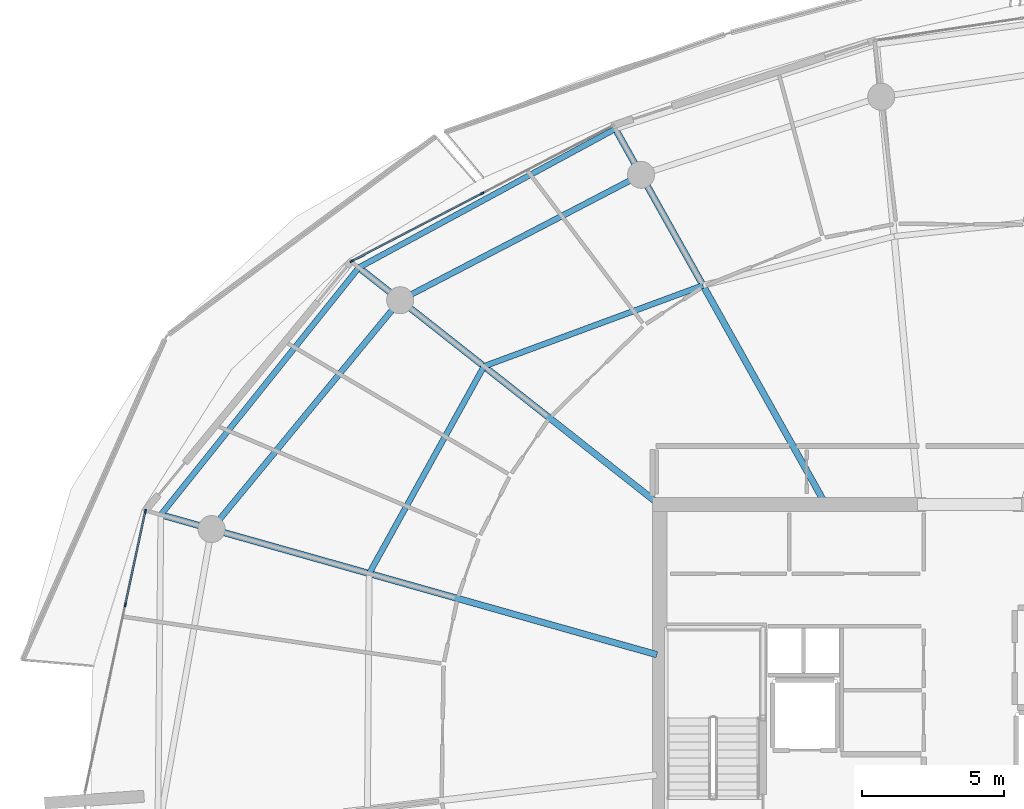
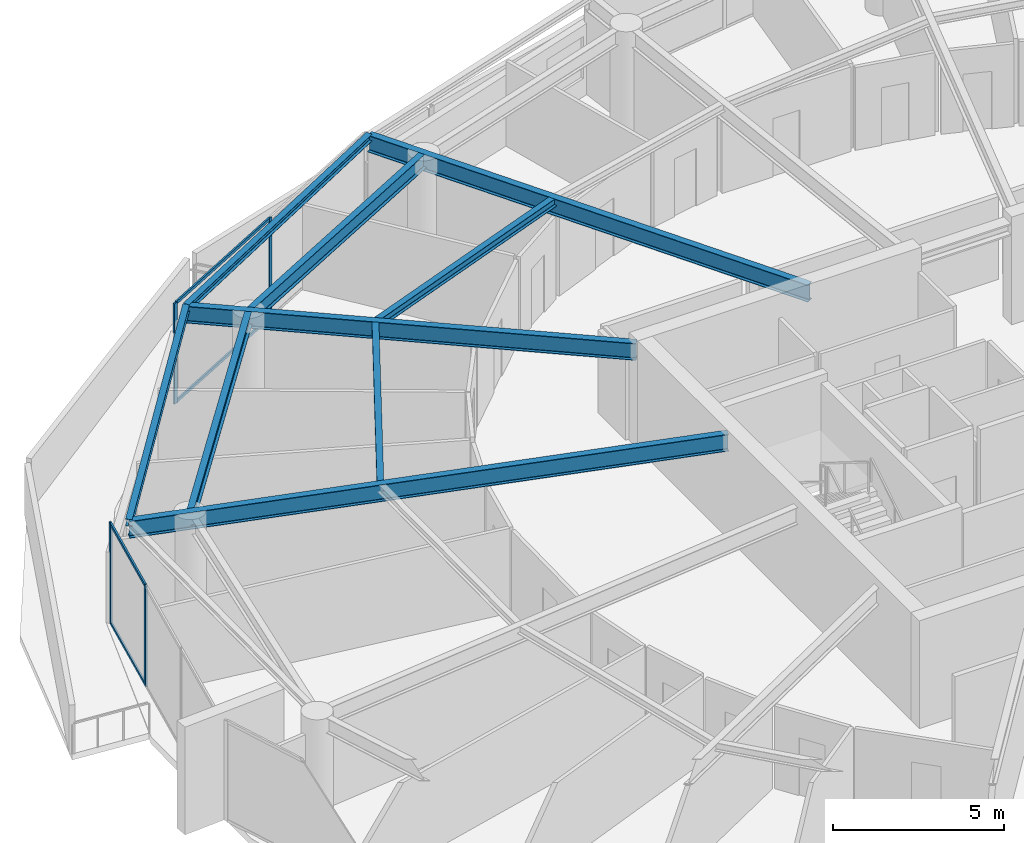
# One storey, part 12 of 30: 9 beams, 8 members, 2 elements without a shape of their own.
"""IFC4 building model written with IfcOpenShell, lengths in metres."""

from ifc_helpers import new_model, si_unit, direction, frame, origin, origin_2d, place, context, subcontext, project, spatial, rectangle, i_section, extrude, material, layer, layer_set, material_profile, profile_set, type_object, element, aggregate, save


model = new_model("IFC4")

# Units and contexts
model_context = context("Model", 3, precision=1e-05, world=origin(), true_north=direction((0.0, 1.0)))
body_context = subcontext(model_context, "Body", "Model", "MODEL_VIEW")
ifc_project = project(units=[si_unit("LENGTHUNIT", "METRE"), si_unit("AREAUNIT", "SQUARE_METRE"), si_unit("VOLUMEUNIT", "CUBIC_METRE"), si_unit("PLANEANGLEUNIT", "RADIAN"), si_unit("MASSUNIT", "GRAM", prefix="KILO")], contexts=[model_context])

# Site, building, storey
site_placement = place(None, origin())
site = spatial("IfcSite", under=ifc_project, at=site_placement, CompositionType="ELEMENT")
building_placement = place(site_placement, origin())
building = spatial("IfcBuilding", under=site, at=building_placement, Name="Kazma Halo Residences", CompositionType="ELEMENT")
storey_placement = place(building_placement, frame((0.0, 0.0, 294.449951171875)))
storey = spatial("IfcBuildingStorey", under=building, at=storey_placement, Name="L74", CompositionType="ELEMENT", Elevation=294.449951171875)

# Beams
ifc_material_1 = material(Name="Steel S355", Category="steel")
ifc_material_profile_1 = material_profile(ifc_material_1, i_section(OverallWidth=0.201904296875, OverallDepth=0.2470703125, WebThickness=0.00732421875, FlangeThickness=0.010986328125, FilletRadius=0.011962890625, at=origin_2d()), Name="W250x49.1")
ifc_profile_set_1 = profile_set([ifc_material_profile_1], Name="Steel S355")
beam_type_1 = type_object("IfcBeamType", Name="BM-BAL-CANT", PredefinedType="BEAM", material=ifc_profile_set_1)
beam_1_placement = place(storey_placement, frame((35.990478515625, 63.444580078125, 3.466552734375), z_axis=(-0.879517282036, -0.475866946321, 0.0), x_axis=(0.475866946321, -0.879517282036, 0.0)))
element("IfcBeam", 1, at=beam_1_placement, inside=storey, type_object=beam_type_1, Name="L74 wave-balcony tie beam 05", PredefinedType="BEAM", context=body_context, shape_type="SweptSolid", body=[
    extrude(i_section(OverallWidth=0.201904296875, OverallDepth=0.2470703125, WebThickness=0.00732421875, FlangeThickness=0.010986328125, FilletRadius=0.011962890625, at=origin_2d()), origin(), (0.0, 0.0, 1.0), 10.243408203125),
])
beam_2_placement = place(storey_placement, frame((26.981201171875, 58.570068359375, 3.466552734375), z_axis=(-0.625117912406, -0.780530329705, 0.0), x_axis=(0.780530329705, -0.625117912406, 0.0)))
element("IfcBeam", 2, at=beam_2_placement, inside=storey, type_object=beam_type_1, Name="L74 wave-balcony tie beam 06", PredefinedType="BEAM", context=body_context, shape_type="SweptSolid", body=[
    extrude(i_section(OverallWidth=0.201904296875, OverallDepth=0.2470703125, WebThickness=0.00732421875, FlangeThickness=0.010986328125, FilletRadius=0.011962890625, at=origin_2d()), origin(), (0.0, 0.0, 1.0), 11.1220703125),
])
ifc_material_profile_2 = material_profile(ifc_material_1, i_section(OverallWidth=0.22802734375, OverallDepth=0.60791015625, WebThickness=0.01123046875, FlangeThickness=0.017333984375, FilletRadius=0.01806640625, at=origin_2d()), Name="W610x113")
ifc_profile_set_2 = profile_set([ifc_material_profile_2], Name="Steel S355")
beam_type_2 = type_object("IfcBeamType", Name="BM-RAD-W610", PredefinedType="BEAM", material=ifc_profile_set_2)
beam_3_placement = place(storey_placement, frame((43.32373046875, 50.35009765625, 3.2861328125), z_axis=(-0.488620706085, 0.872496306918, 0.0), x_axis=(-0.872496306918, -0.488620706085, 0.0)))
element("IfcBeam", 3, at=beam_3_placement, inside=storey, type_object=beam_type_2, Name="L74 radial floor beam 05", PredefinedType="BEAM", context=body_context, shape_type="SweptSolid", body=[
    extrude(i_section(OverallWidth=0.22802734375, OverallDepth=0.60791015625, WebThickness=0.01123046875, FlangeThickness=0.017333984375, FilletRadius=0.01806640625, at=origin_2d()), origin(), (0.0, 0.0, 1.0), 15.008056640625),
])
beam_4_placement = place(storey_placement, frame((37.449951171875, 50.31689453125, 3.2861328125), z_axis=(-0.785306836423, 0.619106753854, 0.0), x_axis=(-0.619106753854, -0.785306836423, 0.0)))
element("IfcBeam", 4, at=beam_4_placement, inside=storey, type_object=beam_type_2, Name="L74 radial floor beam 06", PredefinedType="BEAM", context=body_context, shape_type="SweptSolid", body=[
    extrude(i_section(OverallWidth=0.22802734375, OverallDepth=0.60791015625, WebThickness=0.01123046875, FlangeThickness=0.017333984375, FilletRadius=0.01806640625, at=origin_2d()), origin(), (0.0, 0.0, 1.0), 13.330810546875),
])
beam_5_placement = place(storey_placement, frame((37.449951171875, 44.975341796875, 3.2861328125), z_axis=(-0.962451844494, 0.271452476559, 0.0), x_axis=(-0.271452476559, -0.962451844494, 0.0)))
element("IfcBeam", 5, at=beam_5_placement, inside=storey, type_object=beam_type_2, Name="L74 radial floor beam 07", PredefinedType="BEAM", context=body_context, shape_type="SweptSolid", body=[
    extrude(i_section(OverallWidth=0.22802734375, OverallDepth=0.60791015625, WebThickness=0.01123046875, FlangeThickness=0.017333984375, FilletRadius=0.01806640625, at=origin_2d()), origin(), (0.0, 0.0, 1.0), 18.10107421875),
])
ifc_material_profile_3 = material_profile(ifc_material_1, i_section(OverallWidth=0.202880859375, OverallDepth=0.302978515625, WebThickness=0.007568359375, FlangeThickness=0.01318359375, FilletRadius=0.013916015625, at=origin_2d()), Name="W310x60")
ifc_profile_set_3 = profile_set([ifc_material_profile_3], Name="Steel S355")
beam_type_3 = type_object("IfcBeamType", Name="BM-SEC-W310A", PredefinedType="JOIST", material=ifc_profile_set_3)
beam_6_placement = place(storey_placement, frame((39.070556640625, 57.94482421875, 3.4384765625), z_axis=(-0.938068342894, -0.346450262029, 0.0), x_axis=(0.346450262029, -0.938068342894, 0.0)))
element("IfcBeam", 6, at=beam_6_placement, inside=storey, type_object=beam_type_3, Name="L74 circumferential floor joist 05", PredefinedType="JOIST", context=body_context, shape_type="SweptSolid", body=[
    extrude(i_section(OverallWidth=0.202880859375, OverallDepth=0.302978515625, WebThickness=0.007568359375, FlangeThickness=0.01318359375, FilletRadius=0.013916015625, at=origin_2d()), origin(), (0.0, 0.0, 1.0), 8.200439453125),
])
beam_7_placement = place(storey_placement, frame((31.3779296875, 55.103759765625, 3.4384765625), z_axis=(-0.484616234235, -0.874726874811, 0.0), x_axis=(0.874726874811, -0.484616234235, 0.0)))
element("IfcBeam", 7, at=beam_7_placement, inside=storey, type_object=beam_type_3, Name="L74 circumferential floor joist 06", PredefinedType="JOIST", context=body_context, shape_type="SweptSolid", body=[
    extrude(i_section(OverallWidth=0.202880859375, OverallDepth=0.302978515625, WebThickness=0.007568359375, FlangeThickness=0.01318359375, FilletRadius=0.013916015625, at=origin_2d()), origin(), (0.0, 0.0, 1.0), 8.321044921875),
])
ifc_material_profile_4 = material_profile(ifc_material_1, i_section(OverallWidth=0.208984375, OverallDepth=0.532958984375, WebThickness=0.01025390625, FlangeThickness=0.015625, FilletRadius=0.01611328125, at=origin_2d()), Name="W530x92")
ifc_profile_set_4 = profile_set([ifc_material_profile_4], Name="Steel S355")
beam_type_4 = type_object("IfcBeamType", Name="BM-SPN-W530", PredefinedType="BEAM", material=ifc_profile_set_4)
beam_8_placement = place(storey_placement, frame((36.89453125, 61.830322265625, 3.323486328125), z_axis=(-0.886961047115, -0.461844238788, 0.0), x_axis=(0.461844238788, -0.886961047115, 0.0)))
element("IfcBeam", 8, at=beam_8_placement, inside=storey, type_object=beam_type_4, Name="L74 perimeter ring beam 05", PredefinedType="BEAM", context=body_context, shape_type="SweptSolid", body=[
    extrude(i_section(OverallWidth=0.208984375, OverallDepth=0.532958984375, WebThickness=0.01025390625, FlangeThickness=0.015625, FilletRadius=0.01611328125, at=origin_2d()), origin(), (0.0, 0.0, 1.0), 9.5390625),
])
beam_9_placement = place(storey_placement, frame((28.433837890625, 57.4248046875, 3.323486328125), z_axis=(-0.636002144225, -0.771687289348, 0.0), x_axis=(0.771687289348, -0.636002144225, 0.0)))
element("IfcBeam", 9, at=beam_9_placement, inside=storey, type_object=beam_type_4, Name="L74 perimeter ring beam 06", PredefinedType="BEAM", context=body_context, shape_type="SweptSolid", body=[
    extrude(i_section(OverallWidth=0.208984375, OverallDepth=0.532958984375, WebThickness=0.01025390625, FlangeThickness=0.015625, FilletRadius=0.01611328125, at=origin_2d()), origin(), (0.0, 0.0, 1.0), 10.416259765625),
])

# Curtain wall, members
ifc_material_2 = material(Name="Aluminium AW-6063 T6 and Triple-Silver Low-E Glass", Category="aluminium")
ifc_layer = layer(ifc_material_2, 0.139892578125)
ifc_layer_set = layer_set([ifc_layer], Name="Aluminium AW-6063 T6 and Triple-Silver Low-E Glass")
curtain_wall_type = type_object("IfcCurtainWallType", Name="CW-SYS-5", PredefinedType="NOTDEFINED", material=ifc_layer_set)
curtain_wall_1_placement = place(storey_placement, origin())
curtain_wall_1 = element("IfcCurtainWall", 10, at=curtain_wall_1_placement, inside=storey, type_object=curtain_wall_type, Name="L74 unitised curtain wall B05", PredefinedType="NOTDEFINED")
ifc_material_3 = material(Name="Aluminium AW-6063 T6", Category="aluminium")
ifc_material_profile_5 = material_profile(ifc_material_3, rectangle(XDim=0.06005859375, YDim=0.139892578125, at=origin_2d()), Name="CWM-60x140")
ifc_profile_set_5 = profile_set([ifc_material_profile_5], Name="Aluminium AW-6063 T6")
member_type_1 = type_object("IfcMemberType", Name="CW-SYS-5-MUL", PredefinedType="MULLION", material=ifc_profile_set_5)
member_1_placement = place(storey_placement, frame((31.31591796875, 61.175537109375, 0.0), z_axis=(0.0, 0.0, 1.0), x_axis=(0.460960760804, -0.887420518694, 0.0)))
member_1 = element("IfcMember", 11, at=member_1_placement, type_object=member_type_1, Name="CWS-5 mullion 2", PredefinedType="MULLION", context=body_context, shape_type="SweptSolid", body=[
    extrude(rectangle(XDim=0.06005859375, YDim=0.139892578125, at=origin_2d()), origin(), (0.0, 0.0, 1.0), 3.590087890625),
])
member_2_placement = place(storey_placement, frame((26.737060546875, 58.797119140625, 0.0), z_axis=(0.0, 0.0, 1.0), x_axis=(0.460960760804, -0.887420518694, 0.0)))
member_2 = element("IfcMember", 12, at=member_2_placement, type_object=member_type_1, Name="CWS-5 mullion 3", PredefinedType="MULLION", context=body_context, shape_type="SweptSolid", body=[
    extrude(rectangle(XDim=0.06005859375, YDim=0.139892578125, at=origin_2d()), origin(), (0.0, 0.0, 1.0), 3.590087890625),
])

curtain_wall_2_placement = place(storey_placement, origin())
curtain_wall_2 = element("IfcCurtainWall", 13, at=curtain_wall_2_placement, inside=storey, type_object=curtain_wall_type, Name="L74 unitised curtain wall B07", PredefinedType="NOTDEFINED")
member_3_placement = place(storey_placement, frame((19.485107421875, 50.010986328125, 0.0), z_axis=(0.0, 0.0, 1.0), x_axis=(0.97777491373, -0.209657382603, 0.0)))
member_3 = element("IfcMember", 14, at=member_3_placement, type_object=member_type_1, Name="CWS-5 mullion 1", PredefinedType="MULLION", context=body_context, shape_type="SweptSolid", body=[
    extrude(rectangle(XDim=0.06005859375, YDim=0.139892578125, at=origin_2d()), origin(), (0.0, 0.0, 1.0), 3.590087890625),
])
member_4_placement = place(storey_placement, frame((18.781005859375, 46.7265625, 0.0), z_axis=(0.0, 0.0, 1.0), x_axis=(0.97777491373, -0.209657382603, 0.0)))
member_4 = element("IfcMember", 15, at=member_4_placement, type_object=member_type_1, Name="CWS-5 mullion 2", PredefinedType="MULLION", context=body_context, shape_type="SweptSolid", body=[
    extrude(rectangle(XDim=0.06005859375, YDim=0.139892578125, at=origin_2d()), origin(), (0.0, 0.0, 1.0), 3.590087890625),
])

# Member
ifc_material_profile_6 = material_profile(ifc_material_3, rectangle(XDim=0.06005859375, YDim=0.10498046875, at=origin_2d()), Name="CWT-60x105")
ifc_profile_set_6 = profile_set([ifc_material_profile_6], Name="Aluminium AW-6063 T6")
member_type_2 = type_object("IfcMemberType", Name="CW-SYS-5-TRN", PredefinedType="USERDEFINED", material=ifc_profile_set_6)
member_5_placement = place(storey_placement, frame((31.289306640625, 61.16162109375, 0.030029296875), z_axis=(-0.887436955863, -0.46092911534, 0.0), x_axis=(0.46092911534, -0.887436955863, 0.0)))
member_5 = element("IfcMember", 16, at=member_5_placement, type_object=member_type_2, Name="CWS-5 transom 2.1", ObjectType="TRANSOM", PredefinedType="USERDEFINED", context=body_context, shape_type="SweptSolid", body=[
    extrude(rectangle(XDim=0.06005859375, YDim=0.10498046875, at=origin_2d()), origin(), (0.0, 0.0, 1.0), 5.099609375),
])

member_6_placement = place(storey_placement, frame((31.289306640625, 61.16162109375, 3.56005859375), z_axis=(-0.887436955863, -0.46092911534, 0.0), x_axis=(0.46092911534, -0.887436955863, 0.0)))
member_6 = element("IfcMember", 17, at=member_6_placement, type_object=member_type_2, Name="CWS-5 transom 2.2", ObjectType="TRANSOM", PredefinedType="USERDEFINED", context=body_context, shape_type="SweptSolid", body=[
    extrude(rectangle(XDim=0.06005859375, YDim=0.10498046875, at=origin_2d()), origin(), (0.0, 0.0, 1.0), 5.099609375),
])

aggregate(curtain_wall_1, [member_1, member_2, member_5, member_6])

member_7_placement = place(storey_placement, frame((19.47900390625, 49.9814453125, 0.030029296875), z_axis=(-0.209660493552, -0.977774246666, 0.0), x_axis=(0.977774246666, -0.209660493552, 0.0)))
member_7 = element("IfcMember", 18, at=member_7_placement, type_object=member_type_2, Name="CWS-5 transom 1.1", ObjectType="TRANSOM", PredefinedType="USERDEFINED", context=body_context, shape_type="SweptSolid", body=[
    extrude(rectangle(XDim=0.06005859375, YDim=0.10498046875, at=origin_2d()), origin(), (0.0, 0.0, 1.0), 3.298828125),
])

member_8_placement = place(storey_placement, frame((19.47900390625, 49.9814453125, 3.56005859375), z_axis=(-0.209660493552, -0.977774246666, 0.0), x_axis=(0.977774246666, -0.209660493552, 0.0)))
member_8 = element("IfcMember", 19, at=member_8_placement, type_object=member_type_2, Name="CWS-5 transom 1.2", ObjectType="TRANSOM", PredefinedType="USERDEFINED", context=body_context, shape_type="SweptSolid", body=[
    extrude(rectangle(XDim=0.06005859375, YDim=0.10498046875, at=origin_2d()), origin(), (0.0, 0.0, 1.0), 3.298828125),
])

aggregate(curtain_wall_2, [member_3, member_4, member_7, member_8])

save(model, "model.ifc")
